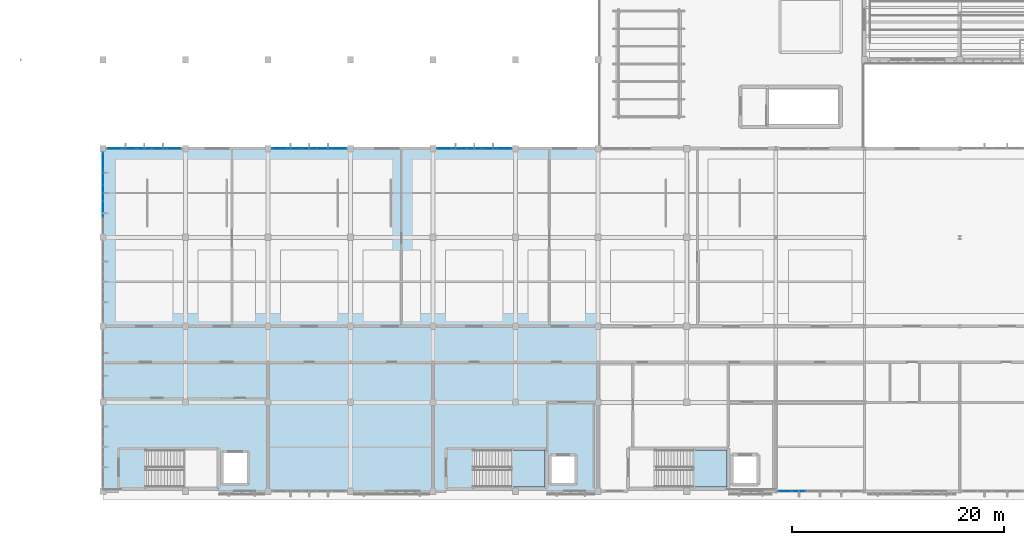
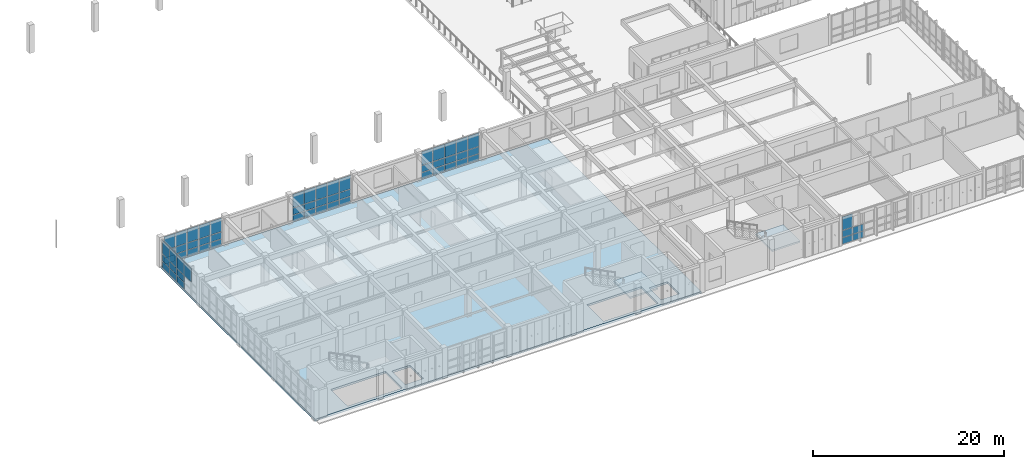
# One storey, part 34 of 67: 60 plates, 3 slabs, 7 elements without a shape of their own.
"""IFC4 building model written with IfcOpenShell, lengths in metres."""

from ifc_helpers import new_model, si_unit, direction, frame, origin, origin_2d, place, context, subcontext, project, spatial, polyline, rectangle, outline, extrude, material, layer, layer_set, type_object, element, aggregate, save


model = new_model("IFC4")

# Units and contexts
model_context = context("Model", 3, precision=1e-05, world=origin(), true_north=direction((0.0, 1.0)))
body_context = subcontext(model_context, "Body", "Model", "MODEL_VIEW")
ifc_project = project(units=[si_unit("LENGTHUNIT", "METRE"), si_unit("AREAUNIT", "SQUARE_METRE"), si_unit("VOLUMEUNIT", "CUBIC_METRE"), si_unit("PLANEANGLEUNIT", "RADIAN"), si_unit("MASSUNIT", "GRAM", prefix="KILO")], contexts=[model_context])

# Site, building, storey
site_placement = place(None, origin())
site = spatial("IfcSite", under=ifc_project, at=site_placement, CompositionType="ELEMENT")
building_placement = place(site_placement, origin())
building = spatial("IfcBuilding", under=site, at=building_placement, Name="Tizgana Railside Sports Hall", CompositionType="ELEMENT")
storey_placement = place(building_placement, frame((0.0, 0.0, 12.0)))
storey = spatial("IfcBuildingStorey", under=building, at=storey_placement, Name="L02", CompositionType="ELEMENT", Elevation=12.0)

# Curtain wall, plates
ifc_material_1 = material(Name="Anodised aluminium and glass", Category="aluminium")
curtain_wall_type_1 = type_object("IfcCurtainWallType", Name="Unitised Curtain Wall Foyer 1300", PredefinedType="NOTDEFINED", material=ifc_material_1)
curtain_wall_1_placement = place(storey_placement, origin())
curtain_wall_1 = element("IfcCurtainWall", 1, at=curtain_wall_1_placement, inside=storey, type_object=curtain_wall_type_1, Name="L02 Curtain Wall CW-0105", PredefinedType="NOTDEFINED")
ifc_material_2 = material(Name="Double low-E laminated glass", Category="glass")
ifc_layer_1 = layer(ifc_material_2, 0.033935546875, Name="Double low-E laminated glass")
ifc_layer_set_1 = layer_set([ifc_layer_1], Name="Double low-E laminated glass")
plate_type_1 = type_object("IfcPlateType", Name="Acoustic Laminated Glazing Panel 34", PredefinedType="CURTAIN_PANEL", material=ifc_layer_set_1)
plate_1_placement = place(storey_placement, frame((73.6025390625, 0.0, 0.06494140625), z_axis=(0.0, 0.0, 1.0), x_axis=(-1.0, 0.0, 0.0)))
plate_1 = element("IfcPlate", 2, at=plate_1_placement, type_object=plate_type_1, Name="CW-02 panel 5.1", PredefinedType="CURTAIN_PANEL", context=body_context, shape_type="SweptSolid", body=[
    extrude(rectangle(XDim=1.2666015625, YDim=0.033935546875, at=origin_2d()), origin(), (0.0, 0.0, 1.0), 0.802490234375),
])
plate_2_placement = place(storey_placement, frame((73.6025390625, 0.0, 0.9326171875), z_axis=(0.0, 0.0, 1.0), x_axis=(-1.0, 0.0, 0.0)))
plate_2 = element("IfcPlate", 3, at=plate_2_placement, type_object=plate_type_1, Name="CW-02 panel 5.2", PredefinedType="CURTAIN_PANEL", context=body_context, shape_type="SweptSolid", body=[
    extrude(rectangle(XDim=1.2666015625, YDim=0.033935546875, at=origin_2d()), origin(), (0.0, 0.0, 1.0), 0.85498046875),
])
plate_3_placement = place(storey_placement, frame((72.287109375, 0.0, 0.06494140625), z_axis=(0.0, 0.0, 1.0), x_axis=(-1.0, 0.0, 0.0)))
plate_3 = element("IfcPlate", 4, at=plate_3_placement, type_object=plate_type_1, Name="CW-02 panel 6.1", PredefinedType="CURTAIN_PANEL", context=body_context, shape_type="SweptSolid", body=[
    extrude(rectangle(XDim=1.234130859375, YDim=0.033935546875, at=origin_2d()), origin(), (0.0, 0.0, 1.0), 0.802490234375),
])
plate_4_placement = place(storey_placement, frame((72.287109375, 0.0, 0.9326171875), z_axis=(0.0, 0.0, 1.0), x_axis=(-1.0, 0.0, 0.0)))
plate_4 = element("IfcPlate", 5, at=plate_4_placement, type_object=plate_type_1, Name="CW-02 panel 6.2", PredefinedType="CURTAIN_PANEL", context=body_context, shape_type="SweptSolid", body=[
    extrude(rectangle(XDim=1.234130859375, YDim=0.033935546875, at=origin_2d()), origin(), (0.0, 0.0, 1.0), 0.85498046875),
])
plate_5_placement = place(storey_placement, frame((72.287109375, 0.0, 1.8525390625), z_axis=(0.0, 0.0, 1.0), x_axis=(-1.0, 0.0, 0.0)))
plate_5 = element("IfcPlate", 6, at=plate_5_placement, type_object=plate_type_1, Name="CW-02 panel 6.3", PredefinedType="CURTAIN_PANEL", context=body_context, shape_type="SweptSolid", body=[
    extrude(rectangle(XDim=1.234130859375, YDim=0.033935546875, at=origin_2d()), origin(), (0.0, 0.0, 1.0), 1.722412109375),
])
aggregate(curtain_wall_1, [plate_1, plate_2, plate_3, plate_4, plate_5])

curtain_wall_type_2 = type_object("IfcCurtainWallType", Name="Unitised Curtain Wall Passage 1800", PredefinedType="NOTDEFINED", material=ifc_material_1)
curtain_wall_2_placement = place(storey_placement, origin())
curtain_wall_2 = element("IfcCurtainWall", 7, at=curtain_wall_2_placement, inside=storey, type_object=curtain_wall_type_2, Name="L02 Curtain Wall CW-0109", PredefinedType="NOTDEFINED")
plate_6_placement = place(storey_placement, frame((40.0791015625, 32.39990234375, 0.06005859375), z_axis=(0.0, 0.0, 1.0), x_axis=(1.0, 0.0, 0.0)))
plate_6 = element("IfcPlate", 8, at=plate_6_placement, type_object=plate_type_1, Name="CW-06 panel 1.1", PredefinedType="CURTAIN_PANEL", context=body_context, shape_type="SweptSolid", body=[
    extrude(rectangle(XDim=1.327880859375, YDim=0.033935546875, at=origin_2d()), origin(), (0.0, 0.0, 1.0), 0.81005859375),
])
plate_7_placement = place(storey_placement, frame((40.0791015625, 32.39990234375, 0.93017578125), z_axis=(0.0, 0.0, 1.0), x_axis=(1.0, 0.0, 0.0)))
plate_7 = element("IfcPlate", 9, at=plate_7_placement, type_object=plate_type_1, Name="CW-06 panel 1.2", PredefinedType="CURTAIN_PANEL", context=body_context, shape_type="SweptSolid", body=[
    extrude(rectangle(XDim=1.327880859375, YDim=0.033935546875, at=origin_2d()), origin(), (0.0, 0.0, 1.0), 0.860107421875),
])
plate_8_placement = place(storey_placement, frame((40.0791015625, 32.39990234375, 1.85009765625), z_axis=(0.0, 0.0, 1.0), x_axis=(1.0, 0.0, 0.0)))
plate_8 = element("IfcPlate", 10, at=plate_8_placement, type_object=plate_type_1, Name="CW-06 panel 1.3", PredefinedType="CURTAIN_PANEL", context=body_context, shape_type="SweptSolid", body=[
    extrude(rectangle(XDim=1.327880859375, YDim=0.033935546875, at=origin_2d()), origin(), (0.0, 0.0, 1.0), 1.72998046875),
])
plate_9_placement = place(storey_placement, frame((41.48193359375, 32.39990234375, 0.06005859375), z_axis=(0.0, 0.0, 1.0), x_axis=(1.0, 0.0, 0.0)))
plate_9 = element("IfcPlate", 11, at=plate_9_placement, type_object=plate_type_1, Name="CW-06 panel 2.1", PredefinedType="CURTAIN_PANEL", context=body_context, shape_type="SweptSolid", body=[
    extrude(rectangle(XDim=1.35791015625, YDim=0.033935546875, at=origin_2d()), origin(), (0.0, 0.0, 1.0), 0.81005859375),
])
plate_10_placement = place(storey_placement, frame((41.48193359375, 32.39990234375, 0.93017578125), z_axis=(0.0, 0.0, 1.0), x_axis=(1.0, 0.0, 0.0)))
plate_10 = element("IfcPlate", 12, at=plate_10_placement, type_object=plate_type_1, Name="CW-06 panel 2.2", PredefinedType="CURTAIN_PANEL", context=body_context, shape_type="SweptSolid", body=[
    extrude(rectangle(XDim=1.35791015625, YDim=0.033935546875, at=origin_2d()), origin(), (0.0, 0.0, 1.0), 0.860107421875),
])
plate_11_placement = place(storey_placement, frame((41.48193359375, 32.39990234375, 1.85009765625), z_axis=(0.0, 0.0, 1.0), x_axis=(1.0, 0.0, 0.0)))
plate_11 = element("IfcPlate", 13, at=plate_11_placement, type_object=plate_type_1, Name="CW-06 panel 2.3", PredefinedType="CURTAIN_PANEL", context=body_context, shape_type="SweptSolid", body=[
    extrude(rectangle(XDim=1.35791015625, YDim=0.033935546875, at=origin_2d()), origin(), (0.0, 0.0, 1.0), 1.72998046875),
])
plate_12_placement = place(storey_placement, frame((42.89990234375, 32.39990234375, 0.06005859375), z_axis=(0.0, 0.0, 1.0), x_axis=(1.0, 0.0, 0.0)))
plate_12 = element("IfcPlate", 14, at=plate_12_placement, type_object=plate_type_1, Name="CW-06 panel 3.1", PredefinedType="CURTAIN_PANEL", context=body_context, shape_type="SweptSolid", body=[
    extrude(rectangle(XDim=1.35791015625, YDim=0.033935546875, at=origin_2d()), origin(), (0.0, 0.0, 1.0), 0.81005859375),
])
plate_13_placement = place(storey_placement, frame((42.89990234375, 32.39990234375, 0.93017578125), z_axis=(0.0, 0.0, 1.0), x_axis=(1.0, 0.0, 0.0)))
plate_13 = element("IfcPlate", 15, at=plate_13_placement, type_object=plate_type_1, Name="CW-06 panel 3.2", PredefinedType="CURTAIN_PANEL", context=body_context, shape_type="SweptSolid", body=[
    extrude(rectangle(XDim=1.35791015625, YDim=0.033935546875, at=origin_2d()), origin(), (0.0, 0.0, 1.0), 0.860107421875),
])
plate_14_placement = place(storey_placement, frame((42.89990234375, 32.39990234375, 1.85009765625), z_axis=(0.0, 0.0, 1.0), x_axis=(1.0, 0.0, 0.0)))
plate_14 = element("IfcPlate", 16, at=plate_14_placement, type_object=plate_type_1, Name="CW-06 panel 3.3", PredefinedType="CURTAIN_PANEL", context=body_context, shape_type="SweptSolid", body=[
    extrude(rectangle(XDim=1.35791015625, YDim=0.033935546875, at=origin_2d()), origin(), (0.0, 0.0, 1.0), 1.72998046875),
])
plate_15_placement = place(storey_placement, frame((44.318115234375, 32.39990234375, 0.06005859375), z_axis=(0.0, 0.0, 1.0), x_axis=(1.0, 0.0, 0.0)))
plate_15 = element("IfcPlate", 17, at=plate_15_placement, type_object=plate_type_1, Name="CW-06 panel 4.1", PredefinedType="CURTAIN_PANEL", context=body_context, shape_type="SweptSolid", body=[
    extrude(rectangle(XDim=1.35791015625, YDim=0.033935546875, at=origin_2d()), origin(), (0.0, 0.0, 1.0), 0.81005859375),
])
plate_16_placement = place(storey_placement, frame((44.318115234375, 32.39990234375, 0.93017578125), z_axis=(0.0, 0.0, 1.0), x_axis=(1.0, 0.0, 0.0)))
plate_16 = element("IfcPlate", 18, at=plate_16_placement, type_object=plate_type_1, Name="CW-06 panel 4.2", PredefinedType="CURTAIN_PANEL", context=body_context, shape_type="SweptSolid", body=[
    extrude(rectangle(XDim=1.35791015625, YDim=0.033935546875, at=origin_2d()), origin(), (0.0, 0.0, 1.0), 0.860107421875),
])
plate_17_placement = place(storey_placement, frame((44.318115234375, 32.39990234375, 1.85009765625), z_axis=(0.0, 0.0, 1.0), x_axis=(1.0, 0.0, 0.0)))
plate_17 = element("IfcPlate", 19, at=plate_17_placement, type_object=plate_type_1, Name="CW-06 panel 4.3", PredefinedType="CURTAIN_PANEL", context=body_context, shape_type="SweptSolid", body=[
    extrude(rectangle(XDim=1.35791015625, YDim=0.033935546875, at=origin_2d()), origin(), (0.0, 0.0, 1.0), 1.72998046875),
])
plate_18_placement = place(storey_placement, frame((45.720947265625, 32.39990234375, 0.06005859375), z_axis=(0.0, 0.0, 1.0), x_axis=(1.0, 0.0, 0.0)))
plate_18 = element("IfcPlate", 20, at=plate_18_placement, type_object=plate_type_1, Name="CW-06 panel 5.1", PredefinedType="CURTAIN_PANEL", context=body_context, shape_type="SweptSolid", body=[
    extrude(rectangle(XDim=1.327880859375, YDim=0.033935546875, at=origin_2d()), origin(), (0.0, 0.0, 1.0), 0.81005859375),
])
plate_19_placement = place(storey_placement, frame((45.720947265625, 32.39990234375, 0.93017578125), z_axis=(0.0, 0.0, 1.0), x_axis=(1.0, 0.0, 0.0)))
plate_19 = element("IfcPlate", 21, at=plate_19_placement, type_object=plate_type_1, Name="CW-06 panel 5.2", PredefinedType="CURTAIN_PANEL", context=body_context, shape_type="SweptSolid", body=[
    extrude(rectangle(XDim=1.327880859375, YDim=0.033935546875, at=origin_2d()), origin(), (0.0, 0.0, 1.0), 0.860107421875),
])
plate_20_placement = place(storey_placement, frame((45.720947265625, 32.39990234375, 1.85009765625), z_axis=(0.0, 0.0, 1.0), x_axis=(1.0, 0.0, 0.0)))
plate_20 = element("IfcPlate", 22, at=plate_20_placement, type_object=plate_type_1, Name="CW-06 panel 5.3", PredefinedType="CURTAIN_PANEL", context=body_context, shape_type="SweptSolid", body=[
    extrude(rectangle(XDim=1.327880859375, YDim=0.033935546875, at=origin_2d()), origin(), (0.0, 0.0, 1.0), 1.72998046875),
])
aggregate(curtain_wall_2, [plate_6, plate_7, plate_8, plate_9, plate_10, plate_11, plate_12, plate_13, plate_14, plate_15, plate_16, plate_17, plate_18, plate_19, plate_20])

# Stair, slab
ifc_material_3 = material(Name="Concrete C35/45", Category="concrete")
stair_type_1 = type_object("IfcStairType", Name="Tournament Court Stair 1600", PredefinedType="HALF_TURN_STAIR", material=ifc_material_3)
stair_1_placement = place(storey_placement, origin())
stair_1 = element("IfcStair", 23, at=stair_1_placement, inside=storey, type_object=stair_type_1, Name="L02 Core Stair ST-02", PredefinedType="HALF_TURN_STAIR")
ifc_layer_2 = layer(ifc_material_3, 0.199951171875, Name="Concrete C35/45")
ifc_layer_set_2 = layer_set([ifc_layer_2], Name="Concrete C35/45")
slab_type_1 = type_object("IfcSlabType", Name="Core Stair Landing Slab 200", PredefinedType="LANDING", material=ifc_layer_set_2)
slab_1_placement = place(storey_placement, frame((0.0, 0.0, 1.75)))
slab_1 = element("IfcSlab", 24, at=slab_1_placement, type_object=slab_type_1, Name="ST-02 landing 1", PredefinedType="LANDING", context=body_context, shape_type="SweptSolid", body=[
    extrude(outline(polyline([(46.219970703125, 0.39990234375), (49.60009765625, 0.39990234375), (49.60009765625, 3.89990234375), (46.219970703125, 3.89990234375), (46.219970703125, 0.39990234375)])), origin(), (0.0, 0.0, 1.0), 0.199951171875),
])
aggregate(stair_1, [slab_1])

stair_type_2 = type_object("IfcStairType", Name="Spectator Aisle Stair 1400", PredefinedType="HALF_TURN_STAIR", material=ifc_material_3)
stair_2_placement = place(storey_placement, origin())
stair_2 = element("IfcStair", 25, at=stair_2_placement, inside=storey, type_object=stair_type_2, Name="L02 Core Stair ST-03", PredefinedType="HALF_TURN_STAIR")
slab_2_placement = place(storey_placement, frame((0.0, 0.0, 1.75)))
slab_2 = element("IfcSlab", 26, at=slab_2_placement, type_object=slab_type_1, Name="ST-03 landing 1", PredefinedType="LANDING", context=body_context, shape_type="SweptSolid", body=[
    extrude(outline(polyline([(63.419921875, 0.39990234375), (66.800048828125, 0.39990234375), (66.800048828125, 3.89990234375), (63.419921875, 3.89990234375), (63.419921875, 0.39990234375)])), origin(), (0.0, 0.0, 1.0), 0.199951171875),
])
aggregate(stair_2, [slab_2])

# Curtain wall, plates
curtain_wall_type_3 = type_object("IfcCurtainWallType", Name="Unitised Curtain Wall Studio 1400", PredefinedType="NOTDEFINED", material=ifc_material_1)
curtain_wall_3_placement = place(storey_placement, origin())
curtain_wall_3 = element("IfcCurtainWall", 27, at=curtain_wall_3_placement, inside=storey, type_object=curtain_wall_type_3, Name="L02 Curtain Wall CW-0114", PredefinedType="NOTDEFINED")
ifc_layer_3 = layer(ifc_material_2, 0.0400390625, Name="Double low-E laminated glass")
ifc_layer_set_3 = layer_set([ifc_layer_3], Name="Double low-E laminated glass")
plate_type_2 = type_object("IfcPlateType", Name="High-Span Tempered Glazing Panel 40", PredefinedType="CURTAIN_PANEL", material=ifc_layer_set_3)
plate_21_placement = place(storey_placement, frame((7.800048828125, 31.260986328125, 0.06005859375), z_axis=(0.0, 0.0, 1.0), x_axis=(0.0, -1.0, 0.0)))
plate_21 = element("IfcPlate", 28, at=plate_21_placement, type_object=plate_type_2, Name="CW-03 panel 1.1", PredefinedType="CURTAIN_PANEL", context=body_context, shape_type="SweptSolid", body=[
    extrude(rectangle(XDim=1.447998046875, YDim=0.0400390625, at=origin_2d()), origin(), (0.0, 0.0, 1.0), 0.81005859375),
])
plate_22_placement = place(storey_placement, frame((7.800048828125, 31.260986328125, 0.93017578125), z_axis=(0.0, 0.0, 1.0), x_axis=(0.0, -1.0, 0.0)))
plate_22 = element("IfcPlate", 29, at=plate_22_placement, type_object=plate_type_2, Name="CW-03 panel 1.2", PredefinedType="CURTAIN_PANEL", context=body_context, shape_type="SweptSolid", body=[
    extrude(rectangle(XDim=1.447998046875, YDim=0.0400390625, at=origin_2d()), origin(), (0.0, 0.0, 1.0), 0.860107421875),
])
plate_23_placement = place(storey_placement, frame((7.800048828125, 31.260986328125, 1.85009765625), z_axis=(0.0, 0.0, 1.0), x_axis=(0.0, -1.0, 0.0)))
plate_23 = element("IfcPlate", 30, at=plate_23_placement, type_object=plate_type_2, Name="CW-03 panel 1.3", PredefinedType="CURTAIN_PANEL", context=body_context, shape_type="SweptSolid", body=[
    extrude(rectangle(XDim=1.447998046875, YDim=0.0400390625, at=origin_2d()), origin(), (0.0, 0.0, 1.0), 1.72998046875),
])
plate_24_placement = place(storey_placement, frame((7.800048828125, 29.738037109375, 0.06005859375), z_axis=(0.0, 0.0, 1.0), x_axis=(0.0, -1.0, 0.0)))
plate_24 = element("IfcPlate", 31, at=plate_24_placement, type_object=plate_type_2, Name="CW-03 panel 2.1", PredefinedType="CURTAIN_PANEL", context=body_context, shape_type="SweptSolid", body=[
    extrude(rectangle(XDim=1.47802734375, YDim=0.0400390625, at=origin_2d()), origin(), (0.0, 0.0, 1.0), 0.81005859375),
])
plate_25_placement = place(storey_placement, frame((7.800048828125, 29.738037109375, 0.93017578125), z_axis=(0.0, 0.0, 1.0), x_axis=(0.0, -1.0, 0.0)))
plate_25 = element("IfcPlate", 32, at=plate_25_placement, type_object=plate_type_2, Name="CW-03 panel 2.2", PredefinedType="CURTAIN_PANEL", context=body_context, shape_type="SweptSolid", body=[
    extrude(rectangle(XDim=1.47802734375, YDim=0.0400390625, at=origin_2d()), origin(), (0.0, 0.0, 1.0), 0.860107421875),
])
plate_26_placement = place(storey_placement, frame((7.800048828125, 29.738037109375, 1.85009765625), z_axis=(0.0, 0.0, 1.0), x_axis=(0.0, -1.0, 0.0)))
plate_26 = element("IfcPlate", 33, at=plate_26_placement, type_object=plate_type_2, Name="CW-03 panel 2.3", PredefinedType="CURTAIN_PANEL", context=body_context, shape_type="SweptSolid", body=[
    extrude(rectangle(XDim=1.47802734375, YDim=0.0400390625, at=origin_2d()), origin(), (0.0, 0.0, 1.0), 1.72998046875),
])
plate_27_placement = place(storey_placement, frame((7.800048828125, 28.199951171875, 0.06005859375), z_axis=(0.0, 0.0, 1.0), x_axis=(0.0, -1.0, 0.0)))
plate_27 = element("IfcPlate", 34, at=plate_27_placement, type_object=plate_type_2, Name="CW-03 panel 3.1", PredefinedType="CURTAIN_PANEL", context=body_context, shape_type="SweptSolid", body=[
    extrude(rectangle(XDim=1.47802734375, YDim=0.0400390625, at=origin_2d()), origin(), (0.0, 0.0, 1.0), 0.81005859375),
])
plate_28_placement = place(storey_placement, frame((7.800048828125, 28.199951171875, 0.93017578125), z_axis=(0.0, 0.0, 1.0), x_axis=(0.0, -1.0, 0.0)))
plate_28 = element("IfcPlate", 35, at=plate_28_placement, type_object=plate_type_2, Name="CW-03 panel 3.2", PredefinedType="CURTAIN_PANEL", context=body_context, shape_type="SweptSolid", body=[
    extrude(rectangle(XDim=1.47802734375, YDim=0.0400390625, at=origin_2d()), origin(), (0.0, 0.0, 1.0), 0.860107421875),
])
plate_29_placement = place(storey_placement, frame((7.800048828125, 28.199951171875, 1.85009765625), z_axis=(0.0, 0.0, 1.0), x_axis=(0.0, -1.0, 0.0)))
plate_29 = element("IfcPlate", 36, at=plate_29_placement, type_object=plate_type_2, Name="CW-03 panel 3.3", PredefinedType="CURTAIN_PANEL", context=body_context, shape_type="SweptSolid", body=[
    extrude(rectangle(XDim=1.47802734375, YDim=0.0400390625, at=origin_2d()), origin(), (0.0, 0.0, 1.0), 1.72998046875),
])
plate_30_placement = place(storey_placement, frame((7.800048828125, 26.662109375, 1.85009765625), z_axis=(0.0, 0.0, 1.0), x_axis=(0.0, -1.0, 0.0)))
plate_30 = element("IfcPlate", 37, at=plate_30_placement, type_object=plate_type_2, Name="CW-03 panel 4.3", PredefinedType="CURTAIN_PANEL", context=body_context, shape_type="SweptSolid", body=[
    extrude(rectangle(XDim=1.47802734375, YDim=0.0400390625, at=origin_2d()), origin(), (0.0, 0.0, 1.0), 1.72998046875),
])
aggregate(curtain_wall_3, [plate_21, plate_22, plate_23, plate_24, plate_25, plate_26, plate_27, plate_28, plate_29, plate_30])

curtain_wall_type_4 = type_object("IfcCurtainWallType", Name="Unitised Curtain Wall Climbing 1600", PredefinedType="NOTDEFINED", material=ifc_material_1)
curtain_wall_4_placement = place(storey_placement, origin())
curtain_wall_4 = element("IfcCurtainWall", 38, at=curtain_wall_4_placement, inside=storey, type_object=curtain_wall_type_4, Name="L02 Curtain Wall CW-0107", PredefinedType="NOTDEFINED")
ifc_layer_4 = layer(ifc_material_2, 0.031982421875, Name="Double low-E laminated glass")
ifc_layer_set_4 = layer_set([ifc_layer_4], Name="Double low-E laminated glass")
plate_type_3 = type_object("IfcPlateType", Name="North-Light Clerestory Glazing Panel 32", PredefinedType="CURTAIN_PANEL", material=ifc_layer_set_4)
plate_31_placement = place(storey_placement, frame((8.8828125, 32.39990234375, 0.05517578125), z_axis=(0.0, 0.0, 1.0), x_axis=(1.0, 0.0, 0.0)))
plate_31 = element("IfcPlate", 39, at=plate_31_placement, type_object=plate_type_3, Name="CW-04 panel 1.1", PredefinedType="CURTAIN_PANEL", context=body_context, shape_type="SweptSolid", body=[
    extrude(rectangle(XDim=1.305419921875, YDim=0.031982421875, at=origin_2d()), origin(), (0.0, 0.0, 1.0), 0.8173828125),
])
plate_32_placement = place(storey_placement, frame((8.8828125, 32.39990234375, 0.927734375), z_axis=(0.0, 0.0, 1.0), x_axis=(1.0, 0.0, 0.0)))
plate_32 = element("IfcPlate", 40, at=plate_32_placement, type_object=plate_type_3, Name="CW-04 panel 1.2", PredefinedType="CURTAIN_PANEL", context=body_context, shape_type="SweptSolid", body=[
    extrude(rectangle(XDim=1.305419921875, YDim=0.031982421875, at=origin_2d()), origin(), (0.0, 0.0, 1.0), 0.864990234375),
])
plate_33_placement = place(storey_placement, frame((8.8828125, 32.39990234375, 1.84765625), z_axis=(0.0, 0.0, 1.0), x_axis=(1.0, 0.0, 0.0)))
plate_33 = element("IfcPlate", 41, at=plate_33_placement, type_object=plate_type_3, Name="CW-04 panel 1.3", PredefinedType="CURTAIN_PANEL", context=body_context, shape_type="SweptSolid", body=[
    extrude(rectangle(XDim=1.305419921875, YDim=0.031982421875, at=origin_2d()), origin(), (0.0, 0.0, 1.0), 1.737548828125),
])
plate_34_placement = place(storey_placement, frame((10.281982421875, 32.39990234375, 0.05517578125), z_axis=(0.0, 0.0, 1.0), x_axis=(1.0, 0.0, 0.0)))
plate_34 = element("IfcPlate", 42, at=plate_34_placement, type_object=plate_type_3, Name="CW-04 panel 2.1", PredefinedType="CURTAIN_PANEL", context=body_context, shape_type="SweptSolid", body=[
    extrude(rectangle(XDim=1.343017578125, YDim=0.031982421875, at=origin_2d()), origin(), (0.0, 0.0, 1.0), 0.8173828125),
])
plate_35_placement = place(storey_placement, frame((10.281982421875, 32.39990234375, 0.927734375), z_axis=(0.0, 0.0, 1.0), x_axis=(1.0, 0.0, 0.0)))
plate_35 = element("IfcPlate", 43, at=plate_35_placement, type_object=plate_type_3, Name="CW-04 panel 2.2", PredefinedType="CURTAIN_PANEL", context=body_context, shape_type="SweptSolid", body=[
    extrude(rectangle(XDim=1.343017578125, YDim=0.031982421875, at=origin_2d()), origin(), (0.0, 0.0, 1.0), 0.864990234375),
])
plate_36_placement = place(storey_placement, frame((10.281982421875, 32.39990234375, 1.84765625), z_axis=(0.0, 0.0, 1.0), x_axis=(1.0, 0.0, 0.0)))
plate_36 = element("IfcPlate", 44, at=plate_36_placement, type_object=plate_type_3, Name="CW-04 panel 2.3", PredefinedType="CURTAIN_PANEL", context=body_context, shape_type="SweptSolid", body=[
    extrude(rectangle(XDim=1.343017578125, YDim=0.031982421875, at=origin_2d()), origin(), (0.0, 0.0, 1.0), 1.737548828125),
])
plate_37_placement = place(storey_placement, frame((11.699951171875, 32.39990234375, 0.05517578125), z_axis=(0.0, 0.0, 1.0), x_axis=(1.0, 0.0, 0.0)))
plate_37 = element("IfcPlate", 45, at=plate_37_placement, type_object=plate_type_3, Name="CW-04 panel 3.1", PredefinedType="CURTAIN_PANEL", context=body_context, shape_type="SweptSolid", body=[
    extrude(rectangle(XDim=1.343017578125, YDim=0.031982421875, at=origin_2d()), origin(), (0.0, 0.0, 1.0), 0.8173828125),
])
plate_38_placement = place(storey_placement, frame((11.699951171875, 32.39990234375, 0.927734375), z_axis=(0.0, 0.0, 1.0), x_axis=(1.0, 0.0, 0.0)))
plate_38 = element("IfcPlate", 46, at=plate_38_placement, type_object=plate_type_3, Name="CW-04 panel 3.2", PredefinedType="CURTAIN_PANEL", context=body_context, shape_type="SweptSolid", body=[
    extrude(rectangle(XDim=1.343017578125, YDim=0.031982421875, at=origin_2d()), origin(), (0.0, 0.0, 1.0), 0.864990234375),
])
plate_39_placement = place(storey_placement, frame((11.699951171875, 32.39990234375, 1.84765625), z_axis=(0.0, 0.0, 1.0), x_axis=(1.0, 0.0, 0.0)))
plate_39 = element("IfcPlate", 47, at=plate_39_placement, type_object=plate_type_3, Name="CW-04 panel 3.3", PredefinedType="CURTAIN_PANEL", context=body_context, shape_type="SweptSolid", body=[
    extrude(rectangle(XDim=1.343017578125, YDim=0.031982421875, at=origin_2d()), origin(), (0.0, 0.0, 1.0), 1.737548828125),
])
plate_40_placement = place(storey_placement, frame((13.117919921875, 32.39990234375, 0.05517578125), z_axis=(0.0, 0.0, 1.0), x_axis=(1.0, 0.0, 0.0)))
plate_40 = element("IfcPlate", 48, at=plate_40_placement, type_object=plate_type_3, Name="CW-04 panel 4.1", PredefinedType="CURTAIN_PANEL", context=body_context, shape_type="SweptSolid", body=[
    extrude(rectangle(XDim=1.343017578125, YDim=0.031982421875, at=origin_2d()), origin(), (0.0, 0.0, 1.0), 0.8173828125),
])
plate_41_placement = place(storey_placement, frame((13.117919921875, 32.39990234375, 0.927734375), z_axis=(0.0, 0.0, 1.0), x_axis=(1.0, 0.0, 0.0)))
plate_41 = element("IfcPlate", 49, at=plate_41_placement, type_object=plate_type_3, Name="CW-04 panel 4.2", PredefinedType="CURTAIN_PANEL", context=body_context, shape_type="SweptSolid", body=[
    extrude(rectangle(XDim=1.343017578125, YDim=0.031982421875, at=origin_2d()), origin(), (0.0, 0.0, 1.0), 0.864990234375),
])
plate_42_placement = place(storey_placement, frame((13.117919921875, 32.39990234375, 1.84765625), z_axis=(0.0, 0.0, 1.0), x_axis=(1.0, 0.0, 0.0)))
plate_42 = element("IfcPlate", 50, at=plate_42_placement, type_object=plate_type_3, Name="CW-04 panel 4.3", PredefinedType="CURTAIN_PANEL", context=body_context, shape_type="SweptSolid", body=[
    extrude(rectangle(XDim=1.343017578125, YDim=0.031982421875, at=origin_2d()), origin(), (0.0, 0.0, 1.0), 1.737548828125),
])
plate_43_placement = place(storey_placement, frame((14.517333984375, 32.39990234375, 0.05517578125), z_axis=(0.0, 0.0, 1.0), x_axis=(1.0, 0.0, 0.0)))
plate_43 = element("IfcPlate", 51, at=plate_43_placement, type_object=plate_type_3, Name="CW-04 panel 5.1", PredefinedType="CURTAIN_PANEL", context=body_context, shape_type="SweptSolid", body=[
    extrude(rectangle(XDim=1.305419921875, YDim=0.031982421875, at=origin_2d()), origin(), (0.0, 0.0, 1.0), 0.8173828125),
])
plate_44_placement = place(storey_placement, frame((14.517333984375, 32.39990234375, 0.927734375), z_axis=(0.0, 0.0, 1.0), x_axis=(1.0, 0.0, 0.0)))
plate_44 = element("IfcPlate", 52, at=plate_44_placement, type_object=plate_type_3, Name="CW-04 panel 5.2", PredefinedType="CURTAIN_PANEL", context=body_context, shape_type="SweptSolid", body=[
    extrude(rectangle(XDim=1.305419921875, YDim=0.031982421875, at=origin_2d()), origin(), (0.0, 0.0, 1.0), 0.864990234375),
])
plate_45_placement = place(storey_placement, frame((14.517333984375, 32.39990234375, 1.84765625), z_axis=(0.0, 0.0, 1.0), x_axis=(1.0, 0.0, 0.0)))
plate_45 = element("IfcPlate", 53, at=plate_45_placement, type_object=plate_type_3, Name="CW-04 panel 5.3", PredefinedType="CURTAIN_PANEL", context=body_context, shape_type="SweptSolid", body=[
    extrude(rectangle(XDim=1.305419921875, YDim=0.031982421875, at=origin_2d()), origin(), (0.0, 0.0, 1.0), 1.737548828125),
])
aggregate(curtain_wall_4, [plate_31, plate_32, plate_33, plate_34, plate_35, plate_36, plate_37, plate_38, plate_39, plate_40, plate_41, plate_42, plate_43, plate_44, plate_45])

curtain_wall_type_5 = type_object("IfcCurtainWallType", Name="Unitised Curtain Wall Clinic 1200", PredefinedType="NOTDEFINED", material=ifc_material_1)
curtain_wall_5_placement = place(storey_placement, origin())
curtain_wall_5 = element("IfcCurtainWall", 54, at=curtain_wall_5_placement, inside=storey, type_object=curtain_wall_type_5, Name="L02 Curtain Wall CW-0108", PredefinedType="NOTDEFINED")
ifc_layer_5 = layer(ifc_material_2, 0.028076171875, Name="Double low-E laminated glass")
ifc_layer_set_5 = layer_set([ifc_layer_5], Name="Double low-E laminated glass")
plate_type_4 = type_object("IfcPlateType", Name="Solar Low-E Glazing Panel 28", PredefinedType="CURTAIN_PANEL", material=ifc_layer_set_5)
plate_46_placement = place(storey_placement, frame((24.47900390625, 32.39990234375, 0.06005859375), z_axis=(0.0, 0.0, 1.0), x_axis=(1.0, 0.0, 0.0)))
plate_46 = element("IfcPlate", 55, at=plate_46_placement, type_object=plate_type_4, Name="CW-05 panel 1.1", PredefinedType="CURTAIN_PANEL", context=body_context, shape_type="SweptSolid", body=[
    extrude(rectangle(XDim=1.327880859375, YDim=0.028076171875, at=origin_2d()), origin(), (0.0, 0.0, 1.0), 0.81005859375),
])
plate_47_placement = place(storey_placement, frame((24.47900390625, 32.39990234375, 0.93017578125), z_axis=(0.0, 0.0, 1.0), x_axis=(1.0, 0.0, 0.0)))
plate_47 = element("IfcPlate", 56, at=plate_47_placement, type_object=plate_type_4, Name="CW-05 panel 1.2", PredefinedType="CURTAIN_PANEL", context=body_context, shape_type="SweptSolid", body=[
    extrude(rectangle(XDim=1.327880859375, YDim=0.028076171875, at=origin_2d()), origin(), (0.0, 0.0, 1.0), 0.860107421875),
])
plate_48_placement = place(storey_placement, frame((24.47900390625, 32.39990234375, 1.85009765625), z_axis=(0.0, 0.0, 1.0), x_axis=(1.0, 0.0, 0.0)))
plate_48 = element("IfcPlate", 57, at=plate_48_placement, type_object=plate_type_4, Name="CW-05 panel 1.3", PredefinedType="CURTAIN_PANEL", context=body_context, shape_type="SweptSolid", body=[
    extrude(rectangle(XDim=1.327880859375, YDim=0.028076171875, at=origin_2d()), origin(), (0.0, 0.0, 1.0), 1.72998046875),
])
plate_49_placement = place(storey_placement, frame((25.882080078125, 32.39990234375, 0.06005859375), z_axis=(0.0, 0.0, 1.0), x_axis=(1.0, 0.0, 0.0)))
plate_49 = element("IfcPlate", 58, at=plate_49_placement, type_object=plate_type_4, Name="CW-05 panel 2.1", PredefinedType="CURTAIN_PANEL", context=body_context, shape_type="SweptSolid", body=[
    extrude(rectangle(XDim=1.35791015625, YDim=0.028076171875, at=origin_2d()), origin(), (0.0, 0.0, 1.0), 0.81005859375),
])
plate_50_placement = place(storey_placement, frame((25.882080078125, 32.39990234375, 0.93017578125), z_axis=(0.0, 0.0, 1.0), x_axis=(1.0, 0.0, 0.0)))
plate_50 = element("IfcPlate", 59, at=plate_50_placement, type_object=plate_type_4, Name="CW-05 panel 2.2", PredefinedType="CURTAIN_PANEL", context=body_context, shape_type="SweptSolid", body=[
    extrude(rectangle(XDim=1.35791015625, YDim=0.028076171875, at=origin_2d()), origin(), (0.0, 0.0, 1.0), 0.860107421875),
])
plate_51_placement = place(storey_placement, frame((25.882080078125, 32.39990234375, 1.85009765625), z_axis=(0.0, 0.0, 1.0), x_axis=(1.0, 0.0, 0.0)))
plate_51 = element("IfcPlate", 60, at=plate_51_placement, type_object=plate_type_4, Name="CW-05 panel 2.3", PredefinedType="CURTAIN_PANEL", context=body_context, shape_type="SweptSolid", body=[
    extrude(rectangle(XDim=1.35791015625, YDim=0.028076171875, at=origin_2d()), origin(), (0.0, 0.0, 1.0), 1.72998046875),
])
plate_52_placement = place(storey_placement, frame((27.300048828125, 32.39990234375, 0.06005859375), z_axis=(0.0, 0.0, 1.0), x_axis=(1.0, 0.0, 0.0)))
plate_52 = element("IfcPlate", 61, at=plate_52_placement, type_object=plate_type_4, Name="CW-05 panel 3.1", PredefinedType="CURTAIN_PANEL", context=body_context, shape_type="SweptSolid", body=[
    extrude(rectangle(XDim=1.35791015625, YDim=0.028076171875, at=origin_2d()), origin(), (0.0, 0.0, 1.0), 0.81005859375),
])
plate_53_placement = place(storey_placement, frame((27.300048828125, 32.39990234375, 0.93017578125), z_axis=(0.0, 0.0, 1.0), x_axis=(1.0, 0.0, 0.0)))
plate_53 = element("IfcPlate", 62, at=plate_53_placement, type_object=plate_type_4, Name="CW-05 panel 3.2", PredefinedType="CURTAIN_PANEL", context=body_context, shape_type="SweptSolid", body=[
    extrude(rectangle(XDim=1.35791015625, YDim=0.028076171875, at=origin_2d()), origin(), (0.0, 0.0, 1.0), 0.860107421875),
])
plate_54_placement = place(storey_placement, frame((27.300048828125, 32.39990234375, 1.85009765625), z_axis=(0.0, 0.0, 1.0), x_axis=(1.0, 0.0, 0.0)))
plate_54 = element("IfcPlate", 63, at=plate_54_placement, type_object=plate_type_4, Name="CW-05 panel 3.3", PredefinedType="CURTAIN_PANEL", context=body_context, shape_type="SweptSolid", body=[
    extrude(rectangle(XDim=1.35791015625, YDim=0.028076171875, at=origin_2d()), origin(), (0.0, 0.0, 1.0), 1.72998046875),
])
plate_55_placement = place(storey_placement, frame((28.718017578125, 32.39990234375, 0.06005859375), z_axis=(0.0, 0.0, 1.0), x_axis=(1.0, 0.0, 0.0)))
plate_55 = element("IfcPlate", 64, at=plate_55_placement, type_object=plate_type_4, Name="CW-05 panel 4.1", PredefinedType="CURTAIN_PANEL", context=body_context, shape_type="SweptSolid", body=[
    extrude(rectangle(XDim=1.35791015625, YDim=0.028076171875, at=origin_2d()), origin(), (0.0, 0.0, 1.0), 0.81005859375),
])
plate_56_placement = place(storey_placement, frame((28.718017578125, 32.39990234375, 0.93017578125), z_axis=(0.0, 0.0, 1.0), x_axis=(1.0, 0.0, 0.0)))
plate_56 = element("IfcPlate", 65, at=plate_56_placement, type_object=plate_type_4, Name="CW-05 panel 4.2", PredefinedType="CURTAIN_PANEL", context=body_context, shape_type="SweptSolid", body=[
    extrude(rectangle(XDim=1.35791015625, YDim=0.028076171875, at=origin_2d()), origin(), (0.0, 0.0, 1.0), 0.860107421875),
])
plate_57_placement = place(storey_placement, frame((28.718017578125, 32.39990234375, 1.85009765625), z_axis=(0.0, 0.0, 1.0), x_axis=(1.0, 0.0, 0.0)))
plate_57 = element("IfcPlate", 66, at=plate_57_placement, type_object=plate_type_4, Name="CW-05 panel 4.3", PredefinedType="CURTAIN_PANEL", context=body_context, shape_type="SweptSolid", body=[
    extrude(rectangle(XDim=1.35791015625, YDim=0.028076171875, at=origin_2d()), origin(), (0.0, 0.0, 1.0), 1.72998046875),
])
plate_58_placement = place(storey_placement, frame((30.12109375, 32.39990234375, 0.06005859375), z_axis=(0.0, 0.0, 1.0), x_axis=(1.0, 0.0, 0.0)))
plate_58 = element("IfcPlate", 67, at=plate_58_placement, type_object=plate_type_4, Name="CW-05 panel 5.1", PredefinedType="CURTAIN_PANEL", context=body_context, shape_type="SweptSolid", body=[
    extrude(rectangle(XDim=1.327880859375, YDim=0.028076171875, at=origin_2d()), origin(), (0.0, 0.0, 1.0), 0.81005859375),
])
plate_59_placement = place(storey_placement, frame((30.12109375, 32.39990234375, 0.93017578125), z_axis=(0.0, 0.0, 1.0), x_axis=(1.0, 0.0, 0.0)))
plate_59 = element("IfcPlate", 68, at=plate_59_placement, type_object=plate_type_4, Name="CW-05 panel 5.2", PredefinedType="CURTAIN_PANEL", context=body_context, shape_type="SweptSolid", body=[
    extrude(rectangle(XDim=1.327880859375, YDim=0.028076171875, at=origin_2d()), origin(), (0.0, 0.0, 1.0), 0.860107421875),
])
plate_60_placement = place(storey_placement, frame((30.12109375, 32.39990234375, 1.85009765625), z_axis=(0.0, 0.0, 1.0), x_axis=(1.0, 0.0, 0.0)))
plate_60 = element("IfcPlate", 69, at=plate_60_placement, type_object=plate_type_4, Name="CW-05 panel 5.3", PredefinedType="CURTAIN_PANEL", context=body_context, shape_type="SweptSolid", body=[
    extrude(rectangle(XDim=1.327880859375, YDim=0.028076171875, at=origin_2d()), origin(), (0.0, 0.0, 1.0), 1.72998046875),
])
aggregate(curtain_wall_5, [plate_46, plate_47, plate_48, plate_49, plate_50, plate_51, plate_52, plate_53, plate_54, plate_55, plate_56, plate_57, plate_58, plate_59, plate_60])

# Slab
ifc_layer_6 = layer(ifc_material_3, 0.260009765625, Name="Concrete C35/45")
ifc_layer_set_6 = layer_set([ifc_layer_6], Name="Concrete C35/45")
slab_type_2 = type_object("IfcSlabType", Name="Suspended Studio Floor Slab 260", PredefinedType="FLOOR", material=ifc_layer_set_6)
slab_3_placement = place(storey_placement, frame((0.0, 0.0, -0.260009765625)))
element("IfcSlab", 70, at=slab_3_placement, inside=storey, type_object=slab_type_2, Name="L02 V5 West Studio Slab SLB-0030", PredefinedType="FLOOR", context=body_context, shape_type="SweptSolid", body=[
    extrude(outline(polyline([(7.800048828125, 0.0), (54.60009765625, 0.0), (54.60009765625, 32.39990234375), (7.800048828125, 32.39990234375), (7.800048828125, 0.0)]), holes=[polyline([(11.97998046875, 0.39990234375), (18.60009765625, 0.39990234375), (18.60009765625, 3.89990234375), (11.97998046875, 3.89990234375), (11.97998046875, 0.39990234375)]), polyline([(19.199951171875, 0.800048828125), (21.39990234375, 0.800048828125), (21.39990234375, 3.60009765625), (19.199951171875, 3.60009765625), (19.199951171875, 0.800048828125)]), polyline([(42.97998046875, 0.39990234375), (49.60009765625, 0.39990234375), (49.60009765625, 3.89990234375), (42.97998046875, 3.89990234375), (42.97998046875, 0.39990234375)]), polyline([(50.199951171875, 0.800048828125), (52.39990234375, 0.800048828125), (52.39990234375, 3.300048828125), (50.199951171875, 3.300048828125), (50.199951171875, 0.800048828125)])]), origin(), (0.0, 0.0, 1.0), 0.260009765625),
])

save(model, "model.ifc")
